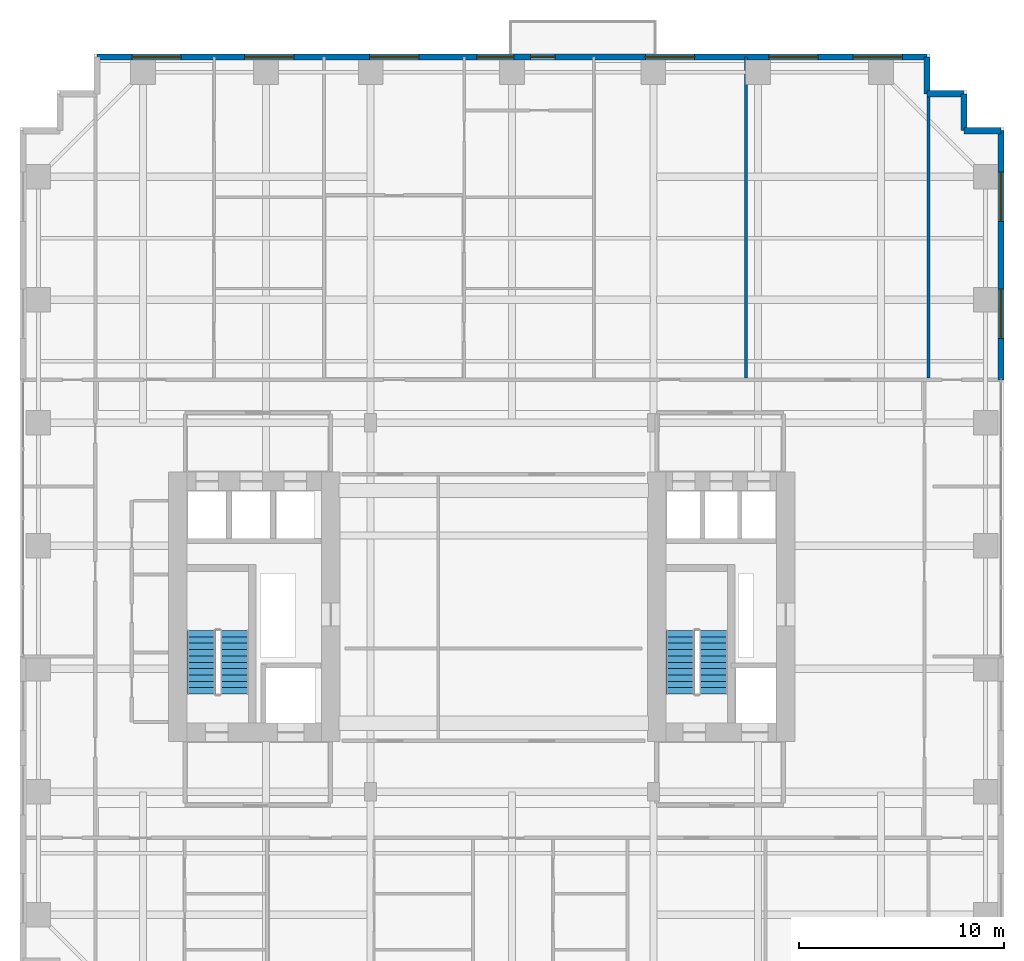
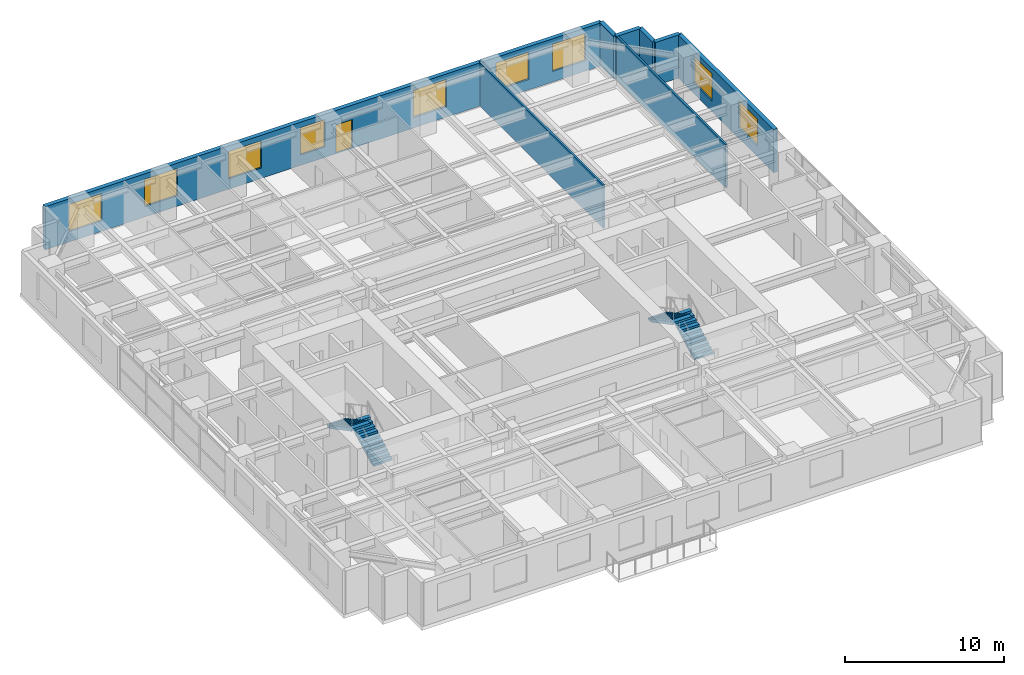
# One storey, part 15 of 19: 9 windows, 8 walls, 4 stair flights, 1 door, 10 openings, 2 elements without a shape of their own.
"""IFC4 building model written with IfcOpenShell, lengths in metres."""

from ifc_helpers import new_model, si_unit, direction, frame, frame_2d, origin, place, context, subcontext, project, spatial, polyline, rectangle, outline, extrude, source, transform, mapped, material, layer, layer_set, type_object, element, fill, aggregate, save


model = new_model("IFC4")

# Units and contexts
model_context = context("Model", 3, precision=1e-05, world=origin(), true_north=direction((0.0, 1.0)))
body_context = subcontext(model_context, "Body", "Model", "MODEL_VIEW")
ifc_project = project(units=[si_unit("LENGTHUNIT", "METRE"), si_unit("AREAUNIT", "SQUARE_METRE"), si_unit("VOLUMEUNIT", "CUBIC_METRE"), si_unit("PLANEANGLEUNIT", "RADIAN"), si_unit("MASSUNIT", "GRAM", prefix="KILO")], contexts=[model_context])

# Site, building, storey
site_placement = place(None, origin())
site = spatial("IfcSite", under=ifc_project, at=site_placement, CompositionType="ELEMENT")
building_placement = place(site_placement, origin())
building = spatial("IfcBuilding", under=site, at=building_placement, Name="Khoralis Quay Care Tower", CompositionType="ELEMENT")
storey_placement = place(building_placement, frame((0.0, 0.0, 69.300048828125)))
storey = spatial("IfcBuildingStorey", under=building, at=storey_placement, Name="L18", CompositionType="ELEMENT", Elevation=69.300048828125)

# Wall, openings, windows
ifc_material_1 = material(Name="Precast concrete C45/55", Category="concrete")
ifc_layer_1 = layer(ifc_material_1, 0.300048828125)
ifc_layer_set_1 = layer_set([ifc_layer_1], Name="Precast concrete C45/55")
wall_type_1 = type_object("IfcWallType", Name="WL-EXT-REF-300", PredefinedType="SOLIDWALL", material=ifc_layer_set_1)
wall_1_placement = place(storey_placement, frame((47.85009765625, 32.10009765625, 0.0), z_axis=(0.0, 0.0, 1.0), x_axis=(0.0, 1.0, 0.0)))
wall_1 = element("IfcWall", 1, at=wall_1_placement, inside=storey, type_object=wall_type_1, Name="L18 External Facade Wall WL-EXT-L18-P1-E5B", PredefinedType="SOLIDWALL", context=body_context, shape_type="SweptSolid", body=[
    extrude(rectangle(XDim=12.14990234375, YDim=0.300048828125, at=frame_2d((6.074951171875, 0.0))), origin(), (0.0, 0.0, 1.0), 3.320068359375),
])
opening_1_placement = place(wall_1_placement, frame((2.017578125, 0.0, 0.800048828125)))
opening_1 = element("IfcOpeningElement", 2, at=opening_1_placement, cuts=wall_1, Name="Opening W1", PredefinedType="OPENING", context=body_context, shape_type="SweptSolid", body=[
    extrude(rectangle(XDim=2.39990234375, YDim=2.10009765625, at=frame_2d((1.199951171875, 1.050048828125))), frame((0.0, 0.16015625, 0.0), z_axis=(0.0, -1.0, 0.0), x_axis=(1.0, 0.0, 0.0)), (0.0, 0.0, 1.0), 0.320068359375),
])
opening_2_placement = place(wall_1_placement, frame((7.732421875, 0.0, 0.800048828125)))
opening_2 = element("IfcOpeningElement", 3, at=opening_2_placement, cuts=wall_1, Name="Opening W1", PredefinedType="OPENING", context=body_context, shape_type="SweptSolid", body=[
    extrude(rectangle(XDim=2.39990234375, YDim=2.10009765625, at=frame_2d((1.199951171875, 1.050048828125))), frame((0.0, 0.16015625, 0.0), z_axis=(0.0, -1.0, 0.0), x_axis=(1.0, 0.0, 0.0)), (0.0, 0.0, 1.0), 0.320068359375),
])
ifc_material_2 = material(Name="Low-E solar-control double glazing", Category="glass")
window_type_1 = type_object("IfcWindowType", Name="WN-POD-2400X2100", PartitioningType="SINGLE_PANEL", PredefinedType="WINDOW", material=ifc_material_2)
shared_shape_1 = source(origin(), body_context, "Body", "SweptSolid", [
    extrude(rectangle(XDim=2.39990234375, YDim=2.10009765625, at=frame_2d((1.199951171875, 1.050048828125))), frame((0.0, 0.030029296875, 0.0), z_axis=(0.0, -1.0, 0.0), x_axis=(1.0, 0.0, 0.0)), (0.0, 0.0, 1.0), 0.06005859375),
])
window_1_placement = place(opening_1_placement, origin())
window_1 = element("IfcWindow", 4, at=window_1_placement, inside=storey, type_object=window_type_1, Name="WN-L18-P1-E5B Facade Window 01", OverallHeight=2.10009765625, OverallWidth=2.39990234375, PartitioningType="SINGLE_PANEL", PredefinedType="WINDOW", context=body_context, shape_type="MappedRepresentation", body=[
    mapped(shared_shape_1, transform((0.0, 0.0, 0.0), scale=1.0)),
])
fill(opening_1, window_1)
window_2_placement = place(opening_2_placement, origin())
window_2 = element("IfcWindow", 5, at=window_2_placement, inside=storey, type_object=window_type_1, Name="WN-L18-P1-E5B Facade Window 02", OverallHeight=2.10009765625, OverallWidth=2.39990234375, PartitioningType="SINGLE_PANEL", PredefinedType="WINDOW", context=body_context, shape_type="MappedRepresentation", body=[
    mapped(shared_shape_1, transform((0.0, 0.0, 0.0), scale=1.0)),
])
fill(opening_2, window_2)

# Walls
for number, where, z_axis, x_axis, name in (
    (6, (47.85009765625, 44.25, 0.0), (0.0, 0.0, 1.0), (-1.0, 0.0, 0.0), "L18 External Facade Wall WL-EXT-L18-P1-C6"),
    (7, (46.050048828125, 44.25, 0.0), (0.0, 0.0, 1.0), (0.0, 1.0, 0.0), "L18 External Facade Wall WL-EXT-L18-P1-C7"),
    (8, (46.050048828125, 46.050048828125, 0.0), (0.0, 0.0, 1.0), (-1.0, 0.0, 0.0), "L18 External Facade Wall WL-EXT-L18-P1-C8"),
    (9, (44.25, 46.050048828125, 0.0), (0.0, 0.0, 1.0), (0.0, 1.0, 0.0), "L18 External Facade Wall WL-EXT-L18-P1-C9"),
):
    element("IfcWall", number, at=place(storey_placement, frame(where, z_axis=z_axis, x_axis=x_axis)), inside=storey, type_object=wall_type_1, Name=name, PredefinedType="SOLIDWALL", context=body_context, shape_type="SweptSolid", body=[
        extrude(rectangle(XDim=1.800048828125, YDim=0.300048828125, at=frame_2d((0.89990234375, 0.0))), origin(), (0.0, 0.0, 1.0), 3.320068359375),
    ])

# Wall, openings, windows, door
wall_2_placement = place(storey_placement, frame((44.25, 47.85009765625, 0.0), z_axis=(0.0, 0.0, 1.0), x_axis=(-1.0, 0.0, 0.0)))
wall_2 = element("IfcWall", 10, at=wall_2_placement, inside=storey, type_object=wall_type_1, Name="L18 External Facade Wall WL-EXT-L18-P1-E10", PredefinedType="SOLIDWALL", context=body_context, shape_type="SweptSolid", body=[
    extrude(rectangle(XDim=40.5, YDim=0.300048828125, at=frame_2d((20.25, 0.0))), origin(), (0.0, 0.0, 1.0), 3.320068359375),
])
opening_3_placement = place(wall_2_placement, frame((1.21240234375, 0.0, 0.800048828125)))
opening_3 = element("IfcOpeningElement", 11, at=opening_3_placement, cuts=wall_2, Name="Opening W1", PredefinedType="OPENING", context=body_context, shape_type="SweptSolid", body=[
    extrude(rectangle(XDim=2.39990234375, YDim=2.10009765625, at=frame_2d((1.199951171875, 1.050048828125))), frame((0.0, 0.16015625, 0.0), z_axis=(0.0, -1.0, 0.0), x_axis=(1.0, 0.0, 0.0)), (0.0, 0.0, 1.0), 0.320068359375),
])
opening_4_placement = place(wall_2_placement, frame((5.3173828125, 0.0, 0.800048828125)))
opening_4 = element("IfcOpeningElement", 12, at=opening_4_placement, cuts=wall_2, Name="Opening W1", PredefinedType="OPENING", context=body_context, shape_type="SweptSolid", body=[
    extrude(rectangle(XDim=2.39990234375, YDim=2.10009765625, at=frame_2d((1.199951171875, 1.050048828125))), frame((0.0, 0.16015625, 0.0), z_axis=(0.0, -1.0, 0.0), x_axis=(1.0, 0.0, 0.0)), (0.0, 0.0, 1.0), 0.320068359375),
])
opening_5_placement = place(wall_2_placement, frame((11.344970703125, 0.0, 0.800048828125)))
opening_5 = element("IfcOpeningElement", 13, at=opening_5_placement, cuts=wall_2, Name="Opening W1", PredefinedType="OPENING", context=body_context, shape_type="SweptSolid", body=[
    extrude(rectangle(XDim=2.39990234375, YDim=2.10009765625, at=frame_2d((1.199951171875, 1.050048828125))), frame((0.0, 0.16015625, 0.0), z_axis=(0.0, -1.0, 0.0), x_axis=(1.0, 0.0, 0.0)), (0.0, 0.0, 1.0), 0.320068359375),
])
opening_6_placement = place(wall_2_placement, frame((20.158447265625, 0.0, 0.800048828125)))
opening_6 = element("IfcOpeningElement", 14, at=opening_6_placement, cuts=wall_2, Name="Opening W2", PredefinedType="OPENING", context=body_context, shape_type="SweptSolid", body=[
    extrude(rectangle(XDim=1.800048828125, YDim=2.10009765625, at=frame_2d((0.89990234375, 1.050048828125))), frame((0.0, 0.16015625, 0.0), z_axis=(0.0, -1.0, 0.0), x_axis=(1.0, 0.0, 0.0)), (0.0, 0.0, 1.0), 0.320068359375),
])
opening_7_placement = place(wall_2_placement, frame((24.798583984375, 0.0, 0.800048828125)))
opening_7 = element("IfcOpeningElement", 15, at=opening_7_placement, cuts=wall_2, Name="Opening W1", PredefinedType="OPENING", context=body_context, shape_type="SweptSolid", body=[
    extrude(rectangle(XDim=2.39990234375, YDim=2.10009765625, at=frame_2d((1.199951171875, 1.050048828125))), frame((0.0, 0.16015625, 0.0), z_axis=(0.0, -1.0, 0.0), x_axis=(1.0, 0.0, 0.0)), (0.0, 0.0, 1.0), 0.320068359375),
])
opening_8_placement = place(wall_2_placement, frame((30.89599609375, 0.0, 0.800048828125)))
opening_8 = element("IfcOpeningElement", 16, at=opening_8_placement, cuts=wall_2, Name="Opening W1", PredefinedType="OPENING", context=body_context, shape_type="SweptSolid", body=[
    extrude(rectangle(XDim=2.39990234375, YDim=2.10009765625, at=frame_2d((1.199951171875, 1.050048828125))), frame((0.0, 0.16015625, 0.0), z_axis=(0.0, -1.0, 0.0), x_axis=(1.0, 0.0, 0.0)), (0.0, 0.0, 1.0), 0.320068359375),
])
opening_9_placement = place(wall_2_placement, frame((36.385986328125, 0.0, 0.800048828125)))
opening_9 = element("IfcOpeningElement", 17, at=opening_9_placement, cuts=wall_2, Name="Opening W1", PredefinedType="OPENING", context=body_context, shape_type="SweptSolid", body=[
    extrude(rectangle(XDim=2.39990234375, YDim=2.10009765625, at=frame_2d((1.199951171875, 1.050048828125))), frame((0.0, 0.16015625, 0.0), z_axis=(0.0, -1.0, 0.0), x_axis=(1.0, 0.0, 0.0)), (0.0, 0.0, 1.0), 0.320068359375),
])
opening_10_placement = place(wall_2_placement, frame((18.14990234375, 0.0, 0.0)))
opening_10 = element("IfcOpeningElement", 18, at=opening_10_placement, cuts=wall_2, Name="Opening BD1", PredefinedType="OPENING", context=body_context, shape_type="SweptSolid", body=[
    extrude(rectangle(XDim=1.199951171875, YDim=2.199951171875, at=frame_2d((0.60009765625, 1.10009765625))), frame((0.0, 0.16015625, 0.0), z_axis=(0.0, -1.0, 0.0), x_axis=(1.0, 0.0, 0.0)), (0.0, 0.0, 1.0), 0.320068359375),
])
window_3_placement = place(opening_3_placement, origin())
window_3 = element("IfcWindow", 19, at=window_3_placement, inside=storey, type_object=window_type_1, Name="WN-L18-P1-E10 Facade Window 01", OverallHeight=2.10009765625, OverallWidth=2.39990234375, PartitioningType="SINGLE_PANEL", PredefinedType="WINDOW", context=body_context, shape_type="MappedRepresentation", body=[
    mapped(shared_shape_1, transform((0.0, 0.0, 0.0), scale=1.0)),
])
fill(opening_3, window_3)
window_4_placement = place(opening_4_placement, origin())
window_4 = element("IfcWindow", 20, at=window_4_placement, inside=storey, type_object=window_type_1, Name="WN-L18-P1-E10 Facade Window 02", OverallHeight=2.10009765625, OverallWidth=2.39990234375, PartitioningType="SINGLE_PANEL", PredefinedType="WINDOW", context=body_context, shape_type="MappedRepresentation", body=[
    mapped(shared_shape_1, transform((0.0, 0.0, 0.0), scale=1.0)),
])
fill(opening_4, window_4)
window_5_placement = place(opening_5_placement, origin())
window_5 = element("IfcWindow", 21, at=window_5_placement, inside=storey, type_object=window_type_1, Name="WN-L18-P1-E10 Facade Window 03", OverallHeight=2.10009765625, OverallWidth=2.39990234375, PartitioningType="SINGLE_PANEL", PredefinedType="WINDOW", context=body_context, shape_type="MappedRepresentation", body=[
    mapped(shared_shape_1, transform((0.0, 0.0, 0.0), scale=1.0)),
])
fill(opening_5, window_5)
window_6_placement = place(opening_7_placement, origin())
window_6 = element("IfcWindow", 22, at=window_6_placement, inside=storey, type_object=window_type_1, Name="WN-L18-P1-E10 Facade Window 05", OverallHeight=2.10009765625, OverallWidth=2.39990234375, PartitioningType="SINGLE_PANEL", PredefinedType="WINDOW", context=body_context, shape_type="MappedRepresentation", body=[
    mapped(shared_shape_1, transform((0.0, 0.0, 0.0), scale=1.0)),
])
fill(opening_7, window_6)
window_7_placement = place(opening_8_placement, origin())
window_7 = element("IfcWindow", 23, at=window_7_placement, inside=storey, type_object=window_type_1, Name="WN-L18-P1-E10 Facade Window 06", OverallHeight=2.10009765625, OverallWidth=2.39990234375, PartitioningType="SINGLE_PANEL", PredefinedType="WINDOW", context=body_context, shape_type="MappedRepresentation", body=[
    mapped(shared_shape_1, transform((0.0, 0.0, 0.0), scale=1.0)),
])
fill(opening_8, window_7)
window_8_placement = place(opening_9_placement, origin())
window_8 = element("IfcWindow", 24, at=window_8_placement, inside=storey, type_object=window_type_1, Name="WN-L18-P1-E10 Facade Window 07", OverallHeight=2.10009765625, OverallWidth=2.39990234375, PartitioningType="SINGLE_PANEL", PredefinedType="WINDOW", context=body_context, shape_type="MappedRepresentation", body=[
    mapped(shared_shape_1, transform((0.0, 0.0, 0.0), scale=1.0)),
])
fill(opening_9, window_8)
window_type_2 = type_object("IfcWindowType", Name="WN-POD-1800X2100", PartitioningType="SINGLE_PANEL", PredefinedType="WINDOW", material=ifc_material_2)
shared_shape_2 = source(origin(), body_context, "Body", "SweptSolid", [
    extrude(rectangle(XDim=1.800048828125, YDim=2.10009765625, at=frame_2d((0.89990234375, 1.050048828125))), frame((0.0, 0.030029296875, 0.0), z_axis=(0.0, -1.0, 0.0), x_axis=(1.0, 0.0, 0.0)), (0.0, 0.0, 1.0), 0.06005859375),
])
window_9_placement = place(opening_6_placement, origin())
window_9 = element("IfcWindow", 25, at=window_9_placement, inside=storey, type_object=window_type_2, Name="WN-L18-P1-E10 Facade Window 04", OverallHeight=2.10009765625, OverallWidth=1.800048828125, PartitioningType="SINGLE_PANEL", PredefinedType="WINDOW", context=body_context, shape_type="MappedRepresentation", body=[
    mapped(shared_shape_2, transform((0.0, 0.0, 0.0), scale=1.0)),
])
fill(opening_6, window_9)
ifc_material_3 = material(Name="Anodised aluminium and laminated safety glass", Category="aluminium")
door_type = type_object("IfcDoorType", Name="DR-EXT-BALC-1200X2200", OperationType="NOTDEFINED", PredefinedType="DOOR", material=ifc_material_3)
shared_shape_3 = source(origin(), body_context, "Body", "SweptSolid", [
    extrude(rectangle(XDim=1.199951171875, YDim=2.199951171875, at=frame_2d((0.60009765625, 1.10009765625))), frame((0.0, 0.02490234375, 0.0), z_axis=(0.0, -1.0, 0.0), x_axis=(1.0, 0.0, 0.0)), (0.0, 0.0, 1.0), 0.050048828125),
])
door_placement = place(opening_10_placement, frame((1.199951171875, 0.0, 0.0), z_axis=(0.0, 0.0, 1.0), x_axis=(-1.0, 0.0, 0.0)))
door = element("IfcDoor", 26, at=door_placement, inside=storey, type_object=door_type, Name="L18 Senior Loggia Balcony Door", OperationType="SINGLE_SWING_LEFT", OverallHeight=2.199951171875, OverallWidth=1.199951171875, PredefinedType="DOOR", context=body_context, shape_type="MappedRepresentation", body=[
    mapped(shared_shape_3, transform((0.0, 0.0, 0.0), scale=1.0)),
])
fill(opening_10, door)

# Walls
ifc_material_4 = material(Name="Gypsum plasterboard on acoustic metal stud")
ifc_layer_2 = layer(ifc_material_4, 0.139892578125)
ifc_layer_set_2 = layer_set([ifc_layer_2], Name="Gypsum plasterboard on acoustic metal stud")
wall_type_2 = type_object("IfcWallType", Name="WL-UNIT-140", PredefinedType="PARTITIONING", material=ifc_layer_set_2)
wall_3_placement = place(storey_placement, frame((35.419921875, 32.177490234375, 0.0), z_axis=(0.0, 0.0, 1.0), x_axis=(0.0, 1.0, 0.0)))
element("IfcWall", 27, at=wall_3_placement, inside=storey, type_object=wall_type_2, Name="L18 NB Demising Wall 3", PredefinedType="PARTITIONING", context=body_context, shape_type="SweptSolid", body=[
    extrude(rectangle(XDim=15.677490234375, YDim=0.139892578125, at=frame_2d((7.8388671875, 0.0))), origin(), (0.0, 0.0, 1.0), 3.320068359375),
])
wall_4_placement = place(storey_placement, frame((44.320068359375, 32.177490234375, 0.0), z_axis=(0.0, 0.0, 1.0), x_axis=(0.0, 1.0, 0.0)))
element("IfcWall", 28, at=wall_4_placement, inside=storey, type_object=wall_type_2, Name="L18 NB Demising Wall 4", PredefinedType="PARTITIONING", context=body_context, shape_type="SweptSolid", body=[
    extrude(rectangle(XDim=13.87744140625, YDim=0.139892578125, at=frame_2d((6.938720703125, 0.0))), origin(), (0.0, 0.0, 1.0), 3.320068359375),
])

# Stair, stair flights
stair_type = type_object("IfcStairType", Name="ST-TWR-DOGLEG-1400", PredefinedType="HALF_TURN_STAIR", material=ifc_material_1)
stair_1_placement = place(storey_placement, origin())
stair_1 = element("IfcStair", 29, at=stair_1_placement, inside=storey, type_object=stair_type, Name="L18 West Core Exit Stair ST-T1", PredefinedType="HALF_TURN_STAIR")
stair_flight_type = type_object("IfcStairFlightType", Name="SF-TWR-1400", PredefinedType="STRAIGHT", material=ifc_material_1)
shared_shape_4 = source(origin(), body_context, "Body", "SweptSolid", [
    extrude(outline(polyline([(0.0, 0.0), (0.0, 0.16357421875), (0.31005859375, 0.16357421875), (0.31005859375, 0.327392578125), (0.6201171875, 0.327392578125), (0.6201171875, 0.490966796875), (0.929931640625, 0.490966796875), (0.929931640625, 0.654541015625), (1.239990234375, 0.654541015625), (1.239990234375, 0.818115234375), (1.550048828125, 0.818115234375), (1.550048828125, 0.98193359375), (1.860107421875, 0.98193359375), (1.860107421875, 1.1455078125), (2.169921875, 1.1455078125), (2.169921875, 1.30908203125), (2.47998046875, 1.30908203125), (2.47998046875, 1.47265625), (2.7900390625, 1.47265625), (2.7900390625, 1.636474609375), (3.10009765625, 1.636474609375), (3.10009765625, 1.800048828125), (3.10009765625, 1.466796875), (0.321044921875, 0.0), (0.0, 0.0)])), frame((0.0, 0.68994140625, 0.0), z_axis=(0.0, -1.0, 0.0), x_axis=(1.0, 0.0, 0.0)), (0.0, 0.0, 1.0), 1.3798828125),
])
stair_flight_1_placement = place(storey_placement, frame((10.4599609375, 16.77001953125, 0.0), z_axis=(0.0, 0.0, 1.0), x_axis=(0.0, 1.0, 0.0)))
stair_flight_1 = element("IfcStairFlight", 30, at=stair_flight_1_placement, type_object=stair_flight_type, Name="ST-T1 flight 1", NumberOfRisers=11, NumberOfTreads=10, PredefinedType="STRAIGHT", RiserHeight=0.163636364, TreadLength=0.31, context=body_context, shape_type="MappedRepresentation", body=[
    mapped(shared_shape_4, transform((0.0, 0.0, 0.0), scale=1.0)),
])
stair_flight_2_placement = place(storey_placement, frame((8.840087890625, 19.8701171875, 1.800048828125), z_axis=(0.0, 0.0, 1.0), x_axis=(0.0, -1.0, 0.0)))
stair_flight_2 = element("IfcStairFlight", 31, at=stair_flight_2_placement, type_object=stair_flight_type, Name="ST-T1 flight 2", NumberOfRisers=11, NumberOfTreads=10, PredefinedType="STRAIGHT", RiserHeight=0.163636364, TreadLength=0.31, context=body_context, shape_type="MappedRepresentation", body=[
    mapped(shared_shape_4, transform((0.0, 0.0, 0.0), scale=1.0)),
])
aggregate(stair_1, [stair_flight_1, stair_flight_2])

stair_2_placement = place(storey_placement, origin())
stair_2 = element("IfcStair", 32, at=stair_2_placement, inside=storey, type_object=stair_type, Name="L18 East Core Exit Stair ST-T2", PredefinedType="HALF_TURN_STAIR")
stair_flight_3_placement = place(storey_placement, frame((33.830078125, 16.77001953125, 0.0), z_axis=(0.0, 0.0, 1.0), x_axis=(0.0, 1.0, 0.0)))
stair_flight_3 = element("IfcStairFlight", 33, at=stair_flight_3_placement, type_object=stair_flight_type, Name="ST-T2 flight 1", NumberOfRisers=11, NumberOfTreads=10, PredefinedType="STRAIGHT", RiserHeight=0.163636364, TreadLength=0.31, context=body_context, shape_type="MappedRepresentation", body=[
    mapped(shared_shape_4, transform((0.0, 0.0, 0.0), scale=1.0)),
])
stair_flight_4_placement = place(storey_placement, frame((32.2099609375, 19.8701171875, 1.800048828125), z_axis=(0.0, 0.0, 1.0), x_axis=(0.0, -1.0, 0.0)))
stair_flight_4 = element("IfcStairFlight", 34, at=stair_flight_4_placement, type_object=stair_flight_type, Name="ST-T2 flight 2", NumberOfRisers=11, NumberOfTreads=10, PredefinedType="STRAIGHT", RiserHeight=0.163636364, TreadLength=0.31, context=body_context, shape_type="MappedRepresentation", body=[
    mapped(shared_shape_4, transform((0.0, 0.0, 0.0), scale=1.0)),
])
aggregate(stair_2, [stair_flight_3, stair_flight_4])

save(model, "model.ifc")
